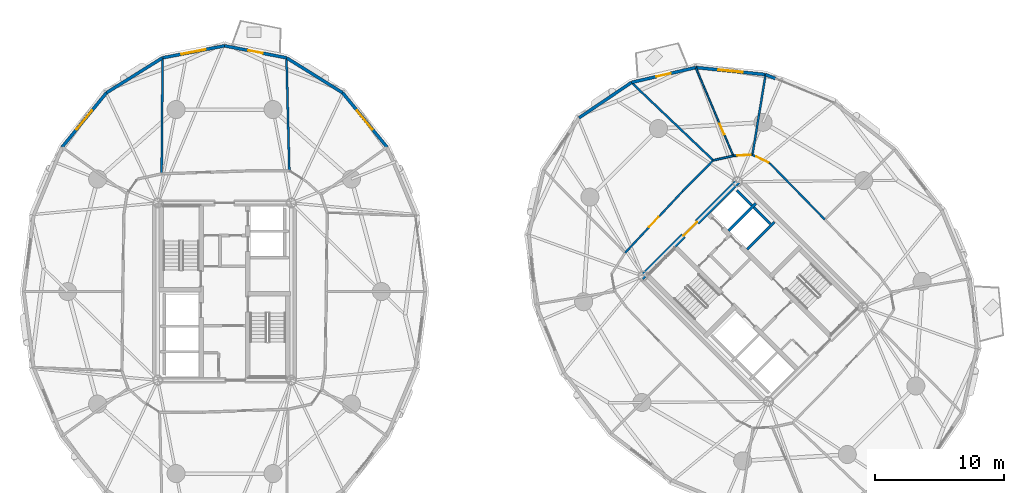
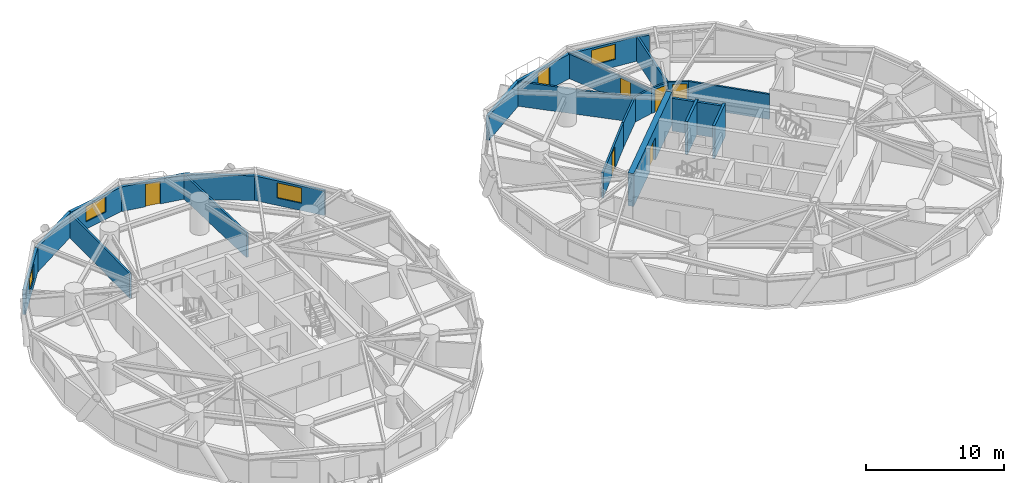
# One storey, part 13 of 17: 26 walls, 7 doors, 4 windows, 11 openings.
"""IFC4 building model written with IfcOpenShell, lengths in metres."""

from ifc_helpers import new_model, si_unit, direction, frame, frame_2d, origin, place, context, subcontext, project, spatial, rectangle, extrude, source, transform, mapped, material, layer, layer_set, type_object, element, fill, save


model = new_model("IFC4")

# Units and contexts
model_context = context("Model", 3, precision=1e-05, world=origin(), true_north=direction((0.0, 1.0)))
body_context = subcontext(model_context, "Body", "Model", "MODEL_VIEW")
ifc_project = project(units=[si_unit("LENGTHUNIT", "METRE"), si_unit("AREAUNIT", "SQUARE_METRE"), si_unit("VOLUMEUNIT", "CUBIC_METRE"), si_unit("PLANEANGLEUNIT", "RADIAN"), si_unit("MASSUNIT", "GRAM", prefix="KILO")], contexts=[model_context])

# Site, building, storey
site_placement = place(None, origin())
site = spatial("IfcSite", under=ifc_project, at=site_placement, CompositionType="ELEMENT")
building_placement = place(site_placement, origin())
building = spatial("IfcBuilding", under=site, at=building_placement, Name="Cununo Teusaquillo Station Towers", CompositionType="ELEMENT")
storey_placement = place(building_placement, frame((0.0, 0.0, 78.8798828125)))
storey = spatial("IfcBuildingStorey", under=building, at=storey_placement, Name="L24", CompositionType="ELEMENT", Elevation=78.8798828125)

# Walls
ifc_material_1 = material(Name="Concrete C50/60", Category="concrete")
ifc_layer_1 = layer(ifc_material_1, 0.199951171875)
ifc_layer_set_1 = layer_set([ifc_layer_1], Name="Concrete C50/60")
wall_type_1 = type_object("IfcWallType", Name="WL-CORE-200", PredefinedType="SHEAR", material=ifc_layer_set_1)
wall_1_placement = place(storey_placement, frame((57.0615234375, 27.781005859375, 0.0), z_axis=(0.0, 0.0, 1.0), x_axis=(0.707106781187, 0.707106781187, 0.0)))
element("IfcWall", 1, at=wall_1_placement, inside=storey, type_object=wall_type_1, Name="L24 Tower B Low-Rise Lift Hoistway South Shear Wall", PredefinedType="SHEAR", context=body_context, shape_type="SweptSolid", body=[
    extrude(rectangle(XDim=2.969970703125, YDim=0.199951171875, at=frame_2d((1.48486328125, 0.0))), origin(), (0.0, 0.0, 1.0), 2.91015625),
])
wall_2_placement = place(storey_placement, frame((55.615478515625, 29.22705078125, 0.0), z_axis=(0.0, 0.0, 1.0), x_axis=(0.707147878904, 0.70706568108, 0.0)))
element("IfcWall", 2, at=wall_2_placement, inside=storey, type_object=wall_type_1, Name="L24 Tower B Low-Rise Lift Hoistway Divider Shear Wall", PredefinedType="SHEAR", context=body_context, shape_type="SweptSolid", body=[
    extrude(rectangle(XDim=2.97021484375, YDim=0.199951171875, at=frame_2d((1.485107421875, 0.0))), origin(), (0.0, 0.0, 1.0), 2.91015625),
])
wall_3_placement = place(storey_placement, frame((58.86474609375, 29.75390625, 0.0), z_axis=(0.0, 0.0, 1.0), x_axis=(-0.707174411312, 0.707039144592, 0.0)))
element("IfcWall", 3, at=wall_3_placement, inside=storey, type_object=wall_type_1, Name="L24 Tower B Low-Rise Lift 1 Shaft Rear Shear Wall", PredefinedType="SHEAR", context=body_context, shape_type="SweptSolid", body=[
    extrude(rectangle(XDim=1.804931640625, YDim=0.199951171875, at=frame_2d((0.90234375, 0.0))), origin(), (0.0, 0.0, 1.0), 2.91015625),
])
wall_4_placement = place(storey_placement, frame((57.418701171875, 31.19970703125, 0.0), z_axis=(0.0, 0.0, 1.0), x_axis=(-0.707032117043, 0.707181437447, 0.0)))
element("IfcWall", 4, at=wall_4_placement, inside=storey, type_object=wall_type_1, Name="L24 Tower B Low-Rise Lift 2 Shaft Rear Shear Wall", PredefinedType="SHEAR", context=body_context, shape_type="SweptSolid", body=[
    extrude(rectangle(XDim=1.635009765625, YDim=0.199951171875, at=frame_2d((0.8173828125, 0.0))), origin(), (0.0, 0.0, 1.0), 2.91015625),
])

# Wall, opening, door
ifc_material_2 = material(Name="Concrete C60/75", Category="concrete")
ifc_layer_2 = layer(ifc_material_2, 0.449951171875)
ifc_layer_set_2 = layer_set([ifc_layer_2], Name="Concrete C60/75")
wall_type_2 = type_object("IfcWallType", Name="WL-CORE-450", PredefinedType="SHEAR", material=ifc_layer_set_2)
wall_5_placement = place(storey_placement, frame((48.855712890625, 25.578369140625, 0.0), z_axis=(0.0, 0.0, 1.0), x_axis=(0.707106781187, 0.707106781187, 0.0)))
wall_5 = element("IfcWall", 5, at=wall_5_placement, inside=storey, type_object=wall_type_2, Name="L24 Tower B Core Shear Wall N", PredefinedType="SHEAR", context=body_context, shape_type="SweptSolid", body=[
    extrude(rectangle(XDim=10.69970703125, YDim=0.449951171875, at=frame_2d((5.349853515625, 0.0))), origin(), (0.0, 0.0, 1.0), 2.91015625),
])
shared_shape_1 = source(origin(), body_context, "Body", "SweptSolid", [
    extrude(rectangle(XDim=1.5, YDim=2.02001953125, at=frame_2d((0.75, 1.010009765625))), frame((0.0, 0.23486328125, 0.0), z_axis=(0.0, -1.0, 0.0), x_axis=(1.0, 0.0, 0.0)), (0.0, 0.0, 1.0), 0.469970703125),
])
opening_1_placement = place(wall_5_placement, frame((4.60009765625, 0.0, 0.0)))
opening_1 = element("IfcOpeningElement", 6, at=opening_1_placement, cuts=wall_5, Name="Opening D-LB1", PredefinedType="OPENING", context=body_context, shape_type="MappedRepresentation", body=[
    mapped(shared_shape_1, transform((0.0, 0.0, 0.0), x_axis=(1.0, 0.0, 0.0), y_axis=(0.0, 1.0, 0.0), z_axis=(0.0, 0.0, 1.0), scale=1.0)),
])
ifc_material_3 = material(Name="Galvanised fire-rated hollow steel door assembly", Category="steel")
door_type_1 = type_object("IfcDoorType", Name="DR-LOBBY-1500", OperationType="DOUBLE_DOOR_SINGLE_SWING", PredefinedType="DOOR", material=ifc_material_3)
shared_shape_2 = source(origin(), body_context, "Body", "SweptSolid", [
    extrude(rectangle(XDim=1.5, YDim=2.02001953125, at=frame_2d((0.75, 1.010009765625))), frame((0.0, 0.02490234375, 0.0), z_axis=(0.0, -1.0, 0.0), x_axis=(1.0, 0.0, 0.0)), (0.0, 0.0, 1.0), 0.050048828125),
])
door_1_placement = place(opening_1_placement, origin())
door_1 = element("IfcDoor", 7, at=door_1_placement, inside=storey, type_object=door_type_1, Name="L24 Tower B North Core Lift Lobby Door", OperationType="DOUBLE_DOOR_SINGLE_SWING", OverallHeight=2.02001953125, OverallWidth=1.5, PredefinedType="DOOR", context=body_context, shape_type="MappedRepresentation", body=[
    mapped(shared_shape_2, transform((0.0, 0.0, 0.0), x_axis=(1.0, 0.0, 0.0), y_axis=(0.0, 1.0, 0.0), z_axis=(0.0, 0.0, 1.0), scale=1.0)),
])
fill(opening_1, door_1)

# Wall, opening, window
ifc_material_4 = material(Name="Precast concrete C40/50", Category="concrete")
ifc_layer_3 = layer(ifc_material_4, 0.239990234375)
ifc_layer_set_3 = layer_set([ifc_layer_3], Name="Precast concrete C40/50")
wall_type_3 = type_object("IfcWallType", Name="WL-EXT-240", PredefinedType="SOLIDWALL", material=ifc_layer_set_3)
wall_6_placement = place(storey_placement, frame((25.658203125, 39.927978515625, 0.0), z_axis=(0.0, 0.0, 1.0), x_axis=(0.632700781152, -0.77439635945, 0.0)))
wall_6 = element("IfcWall", 8, at=wall_6_placement, inside=storey, type_object=wall_type_3, Name="L24 Tower A Exterior Facade Wall C02", PredefinedType="SOLIDWALL", context=body_context, shape_type="SweptSolid", body=[
    extrude(rectangle(XDim=5.447998046875, YDim=0.239990234375, at=frame_2d((2.72412109375, 0.0))), origin(), (0.0, 0.0, 1.0), 2.17919921875),
])
shared_shape_3 = source(origin(), body_context, "Body", "SweptSolid", [
    extrude(rectangle(XDim=1.89990234375, YDim=1.35009765625, at=frame_2d((0.949951171875, 0.675048828125))), frame((0.0, 0.1298828125, 0.0), z_axis=(0.0, -1.0, 0.0), x_axis=(1.0, 0.0, 0.0)), (0.0, 0.0, 1.0), 0.260009765625),
])
opening_2_placement = place(wall_6_placement, frame((1.77392578125, 0.0, 0.64990234375)))
opening_2 = element("IfcOpeningElement", 9, at=opening_2_placement, cuts=wall_6, Name="Opening WN-02", PredefinedType="OPENING", context=body_context, shape_type="MappedRepresentation", body=[
    mapped(shared_shape_3, transform((0.0, 0.0, 0.0), x_axis=(1.0, 0.0, 0.0), y_axis=(0.0, 1.0, 0.0), z_axis=(0.0, 0.0, 1.0), scale=1.0)),
])
ifc_material_5 = material(Name="Operable acoustic tinted low-E double glazing", Category="glass")
window_type = type_object("IfcWindowType", Name="WIN-OPER-1900", PartitioningType="DOUBLE_PANEL_VERTICAL", PredefinedType="WINDOW", material=ifc_material_5)
shared_shape_4 = source(origin(), body_context, "Body", "SweptSolid", [
    extrude(rectangle(XDim=1.89990234375, YDim=1.35009765625, at=frame_2d((0.949951171875, 0.675048828125))), frame((0.0, 0.030029296875, 0.0), z_axis=(0.0, -1.0, 0.0), x_axis=(1.0, 0.0, 0.0)), (0.0, 0.0, 1.0), 0.06005859375),
])
window_1_placement = place(opening_2_placement, origin())
window_1 = element("IfcWindow", 10, at=window_1_placement, inside=storey, type_object=window_type, Name="L24 Tower A Facade Window C02", OverallHeight=1.35009765625, OverallWidth=1.89990234375, PartitioningType="DOUBLE_PANEL_VERTICAL", PredefinedType="WINDOW", context=body_context, shape_type="MappedRepresentation", body=[
    mapped(shared_shape_4, transform((0.0, 0.0, 0.0), x_axis=(1.0, 0.0, 0.0), y_axis=(0.0, 1.0, 0.0), z_axis=(0.0, 0.0, 1.0), scale=1.0)),
])
fill(opening_2, window_1)

# Wall
wall_7_placement = place(storey_placement, frame((21.314697265625, 42.63671875, 0.0), z_axis=(0.0, 0.0, 1.0), x_axis=(0.848520380187, -0.529162701263, 0.0)))
element("IfcWall", 11, at=wall_7_placement, inside=storey, type_object=wall_type_3, Name="L24 Tower A Exterior Facade Wall C03", PredefinedType="SOLIDWALL", context=body_context, shape_type="SweptSolid", body=[
    extrude(rectangle(XDim=5.118896484375, YDim=0.239990234375, at=frame_2d((2.5595703125, 0.0))), origin(), (0.0, 0.0, 1.0), 2.17919921875),
])

# Wall, opening, door
wall_8_placement = place(storey_placement, frame((16.5, 43.570068359375, 0.0), z_axis=(0.0, 0.0, 1.0), x_axis=(0.981723785992, -0.190311344954, 0.0)))
wall_8 = element("IfcWall", 12, at=wall_8_placement, inside=storey, type_object=wall_type_3, Name="L24 Tower A Exterior Facade Wall C04", PredefinedType="SOLIDWALL", context=body_context, shape_type="SweptSolid", body=[
    extrude(rectangle(XDim=4.904296875, YDim=0.239990234375, at=frame_2d((2.4521484375, 0.0))), origin(), (0.0, 0.0, 1.0), 2.17919921875),
])
shared_shape_5 = source(origin(), body_context, "Body", "SweptSolid", [
    extrude(rectangle(XDim=1.14990234375, YDim=2.0048828125, at=frame_2d((0.574951171875, 1.00244140625))), frame((0.0, 0.1298828125, 0.0), z_axis=(0.0, -1.0, 0.0), x_axis=(1.0, 0.0, 0.0)), (0.0, 0.0, 1.0), 0.260009765625),
])
opening_3_placement = place(wall_8_placement, frame((1.876953125, 0.0, 0.0)))
opening_3 = element("IfcOpeningElement", 13, at=opening_3_placement, cuts=wall_8, Name="Opening ED-03", PredefinedType="OPENING", context=body_context, shape_type="MappedRepresentation", body=[
    mapped(shared_shape_5, transform((0.0, 0.0, 0.0), x_axis=(1.0, 0.0, 0.0), y_axis=(0.0, 1.0, 0.0), z_axis=(0.0, 0.0, 1.0), scale=1.0)),
])
ifc_material_6 = material(Name="Anodised dark bronze aluminium EN AW-6063-T6", Category="aluminium")
door_type_2 = type_object("IfcDoorType", Name="DR-EXT-BAL", OperationType="NOTDEFINED", PredefinedType="DOOR", material=ifc_material_6)
shared_shape_6 = source(origin(), body_context, "Body", "SweptSolid", [
    extrude(rectangle(XDim=1.14990234375, YDim=2.0048828125, at=frame_2d((0.574951171875, 1.00244140625))), frame((0.0, 0.02490234375, 0.0), z_axis=(0.0, -1.0, 0.0), x_axis=(1.0, 0.0, 0.0)), (0.0, 0.0, 1.0), 0.050048828125),
])
door_2_placement = place(opening_3_placement, origin())
door_2 = element("IfcDoor", 14, at=door_2_placement, inside=storey, type_object=door_type_2, Name="L24 Tower A Tree Balcony Door C04", OperationType="SINGLE_SWING_LEFT", OverallHeight=2.0048828125, OverallWidth=1.14990234375, PredefinedType="DOOR", context=body_context, shape_type="MappedRepresentation", body=[
    mapped(shared_shape_6, transform((0.0, 0.0, 0.0), x_axis=(1.0, 0.0, 0.0), y_axis=(0.0, 1.0, 0.0), z_axis=(0.0, 0.0, 1.0), scale=1.0)),
])
fill(opening_3, door_2)

# Wall, opening, window
wall_9_placement = place(storey_placement, frame((11.685302734375, 42.63671875, 0.0), z_axis=(0.0, 0.0, 1.0), x_axis=(0.981723785992, 0.190311344954, 0.0)))
wall_9 = element("IfcWall", 15, at=wall_9_placement, inside=storey, type_object=wall_type_3, Name="L24 Tower A Exterior Facade Wall C05", PredefinedType="SOLIDWALL", context=body_context, shape_type="SweptSolid", body=[
    extrude(rectangle(XDim=4.904296875, YDim=0.239990234375, at=frame_2d((2.4521484375, 0.0))), origin(), (0.0, 0.0, 1.0), 2.17919921875),
])
opening_4_placement = place(wall_9_placement, frame((1.501953125, 0.0, 0.64990234375)))
opening_4 = element("IfcOpeningElement", 16, at=opening_4_placement, cuts=wall_9, Name="Opening WN-02", PredefinedType="OPENING", context=body_context, shape_type="MappedRepresentation", body=[
    mapped(shared_shape_3, transform((0.0, 0.0, 0.0), x_axis=(1.0, 0.0, 0.0), y_axis=(0.0, 1.0, 0.0), z_axis=(0.0, 0.0, 1.0), scale=1.0)),
])
window_2_placement = place(opening_4_placement, origin())
window_2 = element("IfcWindow", 17, at=window_2_placement, inside=storey, type_object=window_type, Name="L24 Tower A Facade Window C05", OverallHeight=1.35009765625, OverallWidth=1.89990234375, PartitioningType="DOUBLE_PANEL_VERTICAL", PredefinedType="WINDOW", context=body_context, shape_type="MappedRepresentation", body=[
    mapped(shared_shape_4, transform((0.0, 0.0, 0.0), x_axis=(1.0, 0.0, 0.0), y_axis=(0.0, 1.0, 0.0), z_axis=(0.0, 0.0, 1.0), scale=1.0)),
])
fill(opening_4, window_2)

# Wall
wall_10_placement = place(storey_placement, frame((7.341796875, 39.927978515625, 0.0), z_axis=(0.0, 0.0, 1.0), x_axis=(0.848520380187, 0.529162701263, 0.0)))
element("IfcWall", 18, at=wall_10_placement, inside=storey, type_object=wall_type_3, Name="L24 Tower A Exterior Facade Wall C06", PredefinedType="SOLIDWALL", context=body_context, shape_type="SweptSolid", body=[
    extrude(rectangle(XDim=5.118896484375, YDim=0.239990234375, at=frame_2d((2.5595703125, 0.0))), origin(), (0.0, 0.0, 1.0), 2.17919921875),
])

# Wall, opening, window
wall_11_placement = place(storey_placement, frame((3.894775390625, 35.708984375, 0.0), z_axis=(0.0, 0.0, 1.0), x_axis=(0.632700781152, 0.77439635945, 0.0)))
wall_11 = element("IfcWall", 19, at=wall_11_placement, inside=storey, type_object=wall_type_3, Name="L24 Tower A Exterior Facade Wall C07", PredefinedType="SOLIDWALL", context=body_context, shape_type="SweptSolid", body=[
    extrude(rectangle(XDim=5.447998046875, YDim=0.239990234375, at=frame_2d((2.72412109375, 0.0))), origin(), (0.0, 0.0, 1.0), 2.17919921875),
])
opening_5_placement = place(wall_11_placement, frame((1.77392578125, 0.0, 0.64990234375)))
opening_5 = element("IfcOpeningElement", 20, at=opening_5_placement, cuts=wall_11, Name="Opening WN-02", PredefinedType="OPENING", context=body_context, shape_type="MappedRepresentation", body=[
    mapped(shared_shape_3, transform((0.0, 0.0, 0.0), x_axis=(1.0, 0.0, 0.0), y_axis=(0.0, 1.0, 0.0), z_axis=(0.0, 0.0, 1.0), scale=1.0)),
])
window_3_placement = place(opening_5_placement, origin())
window_3 = element("IfcWindow", 21, at=window_3_placement, inside=storey, type_object=window_type, Name="L24 Tower A Facade Window C07", OverallHeight=1.35009765625, OverallWidth=1.89990234375, PartitioningType="DOUBLE_PANEL_VERTICAL", PredefinedType="WINDOW", context=body_context, shape_type="MappedRepresentation", body=[
    mapped(shared_shape_4, transform((0.0, 0.0, 0.0), x_axis=(1.0, 0.0, 0.0), y_axis=(0.0, 1.0, 0.0), z_axis=(0.0, 0.0, 1.0), scale=1.0)),
])
fill(opening_5, window_3)

# Wall
wall_12_placement = place(storey_placement, frame((58.4873046875, 41.33935546875, 0.0), z_axis=(0.0, 0.0, 1.0), x_axis=(0.924556017656, -0.381046152345, 0.0)))
element("IfcWall", 22, at=wall_12_placement, inside=storey, type_object=wall_type_3, Name="L24 Tower B Column Pier Cladding Wall C01-PA", PredefinedType="SOLIDWALL", context=body_context, shape_type="SweptSolid", body=[
    extrude(rectangle(XDim=0.8701171875, YDim=0.239990234375, at=frame_2d((0.43505859375, 0.0))), origin(), (0.0, 0.0, 1.0), 2.17919921875),
])

# Wall, opening, window
wall_13_placement = place(storey_placement, frame((53.066650390625, 41.885009765625, 0.0), z_axis=(0.0, 0.0, 1.0), x_axis=(0.994971754311, -0.10015591906, 0.0)))
wall_13 = element("IfcWall", 23, at=wall_13_placement, inside=storey, type_object=wall_type_3, Name="L24 Tower B Exterior Facade Wall C02", PredefinedType="SOLIDWALL", context=body_context, shape_type="SweptSolid", body=[
    extrude(rectangle(XDim=5.447998046875, YDim=0.239990234375, at=frame_2d((2.72412109375, 0.0))), origin(), (0.0, 0.0, 1.0), 2.17919921875),
])
opening_6_placement = place(wall_13_placement, frame((1.77392578125, 0.0, 0.64990234375)))
opening_6 = element("IfcOpeningElement", 24, at=opening_6_placement, cuts=wall_13, Name="Opening WN-02", PredefinedType="OPENING", context=body_context, shape_type="MappedRepresentation", body=[
    mapped(shared_shape_3, transform((0.0, 0.0, 0.0), x_axis=(1.0, 0.0, 0.0), y_axis=(0.0, 1.0, 0.0), z_axis=(0.0, 0.0, 1.0), scale=1.0)),
])
window_4_placement = place(opening_6_placement, origin())
window_4 = element("IfcWindow", 25, at=window_4_placement, inside=storey, type_object=window_type, Name="L24 Tower B Facade Window C02", OverallHeight=1.35009765625, OverallWidth=1.89990234375, PartitioningType="DOUBLE_PANEL_VERTICAL", PredefinedType="WINDOW", context=body_context, shape_type="MappedRepresentation", body=[
    mapped(shared_shape_4, transform((0.0, 0.0, 0.0), x_axis=(1.0, 0.0, 0.0), y_axis=(0.0, 1.0, 0.0), z_axis=(0.0, 0.0, 1.0), scale=1.0)),
])
fill(opening_6, window_4)

# Wall, opening, door
wall_14_placement = place(storey_placement, frame((48.080078125, 40.72900390625, 0.0), z_axis=(0.0, 0.0, 1.0), x_axis=(0.974165631126, 0.225834725257, 0.0)))
wall_14 = element("IfcWall", 26, at=wall_14_placement, inside=storey, type_object=wall_type_3, Name="L24 Tower B Exterior Facade Wall C03", PredefinedType="SOLIDWALL", context=body_context, shape_type="SweptSolid", body=[
    extrude(rectangle(XDim=5.118896484375, YDim=0.239990234375, at=frame_2d((2.5595703125, 0.0))), origin(), (0.0, 0.0, 1.0), 2.17919921875),
])
opening_7_placement = place(wall_14_placement, frame((1.98388671875, 0.0, 0.0)))
opening_7 = element("IfcOpeningElement", 27, at=opening_7_placement, cuts=wall_14, Name="Opening ED-03", PredefinedType="OPENING", context=body_context, shape_type="MappedRepresentation", body=[
    mapped(shared_shape_5, transform((0.0, 0.0, 0.0), x_axis=(1.0, 0.0, 0.0), y_axis=(0.0, 1.0, 0.0), z_axis=(0.0, 0.0, 1.0), scale=1.0)),
])
door_3_placement = place(opening_7_placement, origin())
door_3 = element("IfcDoor", 28, at=door_3_placement, inside=storey, type_object=door_type_2, Name="L24 Tower B Tree Balcony Door C03", OperationType="SINGLE_SWING_LEFT", OverallHeight=2.0048828125, OverallWidth=1.14990234375, PredefinedType="DOOR", context=body_context, shape_type="MappedRepresentation", body=[
    mapped(shared_shape_6, transform((0.0, 0.0, 0.0), x_axis=(1.0, 0.0, 0.0), y_axis=(0.0, 1.0, 0.0), z_axis=(0.0, 0.0, 1.0), scale=1.0)),
])
fill(opening_7, door_3)

# Wall
wall_15_placement = place(storey_placement, frame((44.015380859375, 37.984619140625, 0.0), z_axis=(0.0, 0.0, 1.0), x_axis=(0.828781148131, 0.559572880421, 0.0)))
element("IfcWall", 29, at=wall_15_placement, inside=storey, type_object=wall_type_3, Name="L24 Tower B Exterior Facade Wall C04", PredefinedType="SOLIDWALL", context=body_context, shape_type="SweptSolid", body=[
    extrude(rectangle(XDim=4.904541015625, YDim=0.239990234375, at=frame_2d((2.4521484375, 0.0))), origin(), (0.0, 0.0, 1.0), 2.17919921875),
])

# Wall, opening, door
ifc_material_7 = material(Name="Fire-rated gypsum plasterboard partition assembly", Category="gypsum")
ifc_layer_4 = layer(ifc_material_7, 0.125)
ifc_layer_set_4 = layer_set([ifc_layer_4], Name="Fire-rated gypsum plasterboard partition assembly")
wall_type_4 = type_object("IfcWallType", Name="WL-PART-125", PredefinedType="PARTITIONING", material=ifc_layer_set_4)
wall_16_placement = place(storey_placement, frame((55.98388671875, 35.035400390625, 0.0), z_axis=(0.0, 0.0, 1.0), x_axis=(-0.392438685048, 0.919778168081, 0.0)))
wall_16 = element("IfcWall", 30, at=wall_16_placement, inside=storey, type_object=wall_type_4, Name="L24 Tower B Legal Arbitration Hearing Room Suite Subdividing Wall", PredefinedType="PARTITIONING", context=body_context, shape_type="SweptSolid", body=[
    extrude(rectangle(XDim=7.425537109375, YDim=0.125, at=frame_2d((3.712890625, 0.0))), origin(), (0.0, 0.0, 1.0), 2.17919921875),
])
shared_shape_7 = source(origin(), body_context, "Body", "SweptSolid", [
    extrude(rectangle(XDim=0.89990234375, YDim=2.0048828125, at=frame_2d((0.449951171875, 1.00244140625))), frame((0.0, 0.072509765625, 0.0), z_axis=(0.0, -1.0, 0.0), x_axis=(1.0, 0.0, 0.0)), (0.0, 0.0, 1.0), 0.14501953125),
])
opening_8_placement = place(wall_16_placement, frame((1.800048828125, 0.0, 0.0)))
opening_8 = element("IfcOpeningElement", 31, at=opening_8_placement, cuts=wall_16, Name="Opening D-IN1", PredefinedType="OPENING", context=body_context, shape_type="MappedRepresentation", body=[
    mapped(shared_shape_7, transform((0.0, 0.0, 0.0), x_axis=(1.0, 0.0, 0.0), y_axis=(0.0, 1.0, 0.0), z_axis=(0.0, 0.0, 1.0), scale=1.0)),
])
ifc_material_8 = material(Name="Acoustic solid-core hardwood leaf assembly", Category="wood")
door_type_3 = type_object("IfcDoorType", Name="DR-INT-900", OperationType="NOTDEFINED", PredefinedType="DOOR", material=ifc_material_8)
shared_shape_8 = source(origin(), body_context, "Body", "SweptSolid", [
    extrude(rectangle(XDim=0.89990234375, YDim=2.0048828125, at=frame_2d((0.449951171875, 1.00244140625))), frame((0.0, 0.02490234375, 0.0), z_axis=(0.0, -1.0, 0.0), x_axis=(1.0, 0.0, 0.0)), (0.0, 0.0, 1.0), 0.050048828125),
])
door_4_placement = place(opening_8_placement, origin())
door_4 = element("IfcDoor", 32, at=door_4_placement, inside=storey, type_object=door_type_3, Name="L24 Tower B Legal Arbitration Hearing Room Suite Connecting Door", OperationType="SINGLE_SWING_RIGHT", OverallHeight=2.0048828125, OverallWidth=0.89990234375, PredefinedType="DOOR", context=body_context, shape_type="MappedRepresentation", body=[
    mapped(shared_shape_8, transform((0.0, 0.0, 0.0), x_axis=(1.0, 0.0, 0.0), y_axis=(0.0, 1.0, 0.0), z_axis=(0.0, 0.0, 1.0), scale=1.0)),
])
fill(opening_8, door_4)

# Wall
ifc_material_9 = material(Name="Fire-rated gypsum plasterboard partition assembly", Category="gypsum")
ifc_layer_5 = layer(ifc_material_9, 0.14990234375)
ifc_layer_set_5 = layer_set([ifc_layer_5], Name="Fire-rated gypsum plasterboard partition assembly")
wall_type_5 = type_object("IfcWallType", Name="WL-PART-150", PredefinedType="PARTITIONING", material=ifc_layer_set_5)
wall_17_placement = place(storey_placement, frame((63.086181640625, 30.086181640625, 0.0), z_axis=(0.0, 0.0, 1.0), x_axis=(-0.699075897379, 0.715047473741, 0.0)))
element("IfcWall", 33, at=wall_17_placement, inside=storey, type_object=wall_type_5, Name="L24 Tower B Corridor Ring Wall C00", PredefinedType="PARTITIONING", context=body_context, shape_type="SweptSolid", body=[
    extrude(rectangle(XDim=6.1142578125, YDim=0.14990234375, at=frame_2d((3.05712890625, 0.0))), origin(), (0.0, 0.0, 1.0), 2.22509765625),
])

# Wall, opening, door
wall_18_placement = place(storey_placement, frame((58.811767578125, 34.458251953125, 0.0), z_axis=(0.0, 0.0, 1.0), x_axis=(-0.899559490277, 0.436798264021, 0.0)))
wall_18 = element("IfcWall", 34, at=wall_18_placement, inside=storey, type_object=wall_type_5, Name="L24 Tower B Corridor Ring Wall C01", PredefinedType="PARTITIONING", context=body_context, shape_type="SweptSolid", body=[
    extrude(rectangle(XDim=1.4951171875, YDim=0.14990234375, at=frame_2d((0.74755859375, 0.0))), origin(), (0.0, 0.0, 1.0), 2.22509765625),
])
shared_shape_9 = source(origin(), body_context, "Body", "SweptSolid", [
    extrude(rectangle(XDim=1.050048828125, YDim=2.014892578125, at=frame_2d((0.52490234375, 1.00732421875))), frame((0.0, 0.0849609375, 0.0), z_axis=(0.0, -1.0, 0.0), x_axis=(1.0, 0.0, 0.0)), (0.0, 0.0, 1.0), 0.169921875),
])
opening_9_placement = place(wall_18_placement, frame((0.1201171875, 0.0, 0.0)))
opening_9 = element("IfcOpeningElement", 35, at=opening_9_placement, cuts=wall_18, Name="Opening D-SU1", PredefinedType="OPENING", context=body_context, shape_type="MappedRepresentation", body=[
    mapped(shared_shape_9, transform((0.0, 0.0, 0.0), x_axis=(1.0, 0.0, 0.0), y_axis=(0.0, 1.0, 0.0), z_axis=(0.0, 0.0, 1.0), scale=1.0)),
])
ifc_material_10 = material(Name="Acoustic solid-core hardwood leaf assembly", Category="wood")
door_type_4 = type_object("IfcDoorType", Name="DR-SUITE-1050", OperationType="NOTDEFINED", PredefinedType="DOOR", material=ifc_material_10)
shared_shape_10 = source(origin(), body_context, "Body", "SweptSolid", [
    extrude(rectangle(XDim=1.050048828125, YDim=2.014892578125, at=frame_2d((0.52490234375, 1.00732421875))), frame((0.0, 0.02490234375, 0.0), z_axis=(0.0, -1.0, 0.0), x_axis=(1.0, 0.0, 0.0)), (0.0, 0.0, 1.0), 0.050048828125),
])
door_5_placement = place(opening_9_placement, origin())
door_5 = element("IfcDoor", 36, at=door_5_placement, inside=storey, type_object=door_type_4, Name="L24 Tower B Senior Partners Law Chambers Entrance Door", OperationType="SINGLE_SWING_RIGHT", OverallHeight=2.014892578125, OverallWidth=1.050048828125, PredefinedType="DOOR", context=body_context, shape_type="MappedRepresentation", body=[
    mapped(shared_shape_10, transform((0.0, 0.0, 0.0), x_axis=(1.0, 0.0, 0.0), y_axis=(0.0, 1.0, 0.0), z_axis=(0.0, 0.0, 1.0), scale=1.0)),
])
fill(opening_9, door_5)

wall_19_placement = place(storey_placement, frame((57.466796875, 35.111328125, 0.0), z_axis=(0.0, 0.0, 1.0), x_axis=(-0.998691757323, -0.051134859488, 0.0)))
wall_19 = element("IfcWall", 37, at=wall_19_placement, inside=storey, type_object=wall_type_5, Name="L24 Tower B Corridor Ring Wall C02", PredefinedType="PARTITIONING", context=body_context, shape_type="SweptSolid", body=[
    extrude(rectangle(XDim=1.48486328125, YDim=0.14990234375, at=frame_2d((0.742431640625, 0.0))), origin(), (0.0, 0.0, 1.0), 2.22509765625),
])
opening_10_placement = place(wall_19_placement, frame((0.1201171875, 0.0, 0.0)))
opening_10 = element("IfcOpeningElement", 38, at=opening_10_placement, cuts=wall_19, Name="Opening D-SU1", PredefinedType="OPENING", context=body_context, shape_type="MappedRepresentation", body=[
    mapped(shared_shape_9, transform((0.0, 0.0, 0.0), x_axis=(1.0, 0.0, 0.0), y_axis=(0.0, 1.0, 0.0), z_axis=(0.0, 0.0, 1.0), scale=1.0)),
])
door_6_placement = place(opening_10_placement, origin())
door_6 = element("IfcDoor", 39, at=door_6_placement, inside=storey, type_object=door_type_4, Name="L24 Tower B Legal Arbitration Hearing Room Entrance Door", OperationType="SINGLE_SWING_LEFT", OverallHeight=2.014892578125, OverallWidth=1.050048828125, PredefinedType="DOOR", context=body_context, shape_type="MappedRepresentation", body=[
    mapped(shared_shape_10, transform((0.0, 0.0, 0.0), x_axis=(1.0, 0.0, 0.0), y_axis=(0.0, 1.0, 0.0), z_axis=(0.0, 0.0, 1.0), scale=1.0)),
])
fill(opening_10, door_6)

# Walls
wall_20_placement = place(storey_placement, frame((55.98388671875, 35.035400390625, 0.0), z_axis=(0.0, 0.0, 1.0), x_axis=(-0.975290305708, -0.22092718165, 0.0)))
element("IfcWall", 40, at=wall_20_placement, inside=storey, type_object=wall_type_5, Name="L24 Tower B Corridor Ring Wall C03", PredefinedType="PARTITIONING", context=body_context, shape_type="SweptSolid", body=[
    extrude(rectangle(XDim=1.596923828125, YDim=0.14990234375, at=frame_2d((0.79833984375, 0.0))), origin(), (0.0, 0.0, 1.0), 2.22509765625),
])
wall_21_placement = place(storey_placement, frame((54.426513671875, 34.6826171875, 0.0), z_axis=(0.0, 0.0, 1.0), x_axis=(-0.704178989986, -0.710022499687, 0.0)))
element("IfcWall", 41, at=wall_21_placement, inside=storey, type_object=wall_type_5, Name="L24 Tower B Corridor Ring Wall C04", PredefinedType="PARTITIONING", context=body_context, shape_type="SweptSolid", body=[
    extrude(rectangle(XDim=3.38427734375, YDim=0.14990234375, at=frame_2d((1.692138671875, 0.0))), origin(), (0.0, 0.0, 1.0), 2.22509765625),
])

# Wall, opening, door
wall_22_placement = place(storey_placement, frame((52.04345703125, 32.27978515625, 0.0), z_axis=(0.0, 0.0, 1.0), x_axis=(-0.682606081633, -0.730786519661, 0.0)))
wall_22 = element("IfcWall", 42, at=wall_22_placement, inside=storey, type_object=wall_type_5, Name="L24 Tower B Corridor Ring Wall C05", PredefinedType="PARTITIONING", context=body_context, shape_type="SweptSolid", body=[
    extrude(rectangle(XDim=6.526611328125, YDim=0.14990234375, at=frame_2d((3.26318359375, 0.0))), origin(), (0.0, 0.0, 1.0), 2.22509765625),
])
opening_11_placement = place(wall_22_placement, frame((2.73828125, 0.0, 0.0)))
opening_11 = element("IfcOpeningElement", 43, at=opening_11_placement, cuts=wall_22, Name="Opening D-SU1", PredefinedType="OPENING", context=body_context, shape_type="MappedRepresentation", body=[
    mapped(shared_shape_9, transform((0.0, 0.0, 0.0), x_axis=(1.0, 0.0, 0.0), y_axis=(0.0, 1.0, 0.0), z_axis=(0.0, 0.0, 1.0), scale=1.0)),
])
door_7_placement = place(opening_11_placement, origin())
door_7 = element("IfcDoor", 44, at=door_7_placement, inside=storey, type_object=door_type_4, Name="L24 Tower B Associate Open-Plan Workplace Entrance Door", OperationType="SINGLE_SWING_LEFT", OverallHeight=2.014892578125, OverallWidth=1.050048828125, PredefinedType="DOOR", context=body_context, shape_type="MappedRepresentation", body=[
    mapped(shared_shape_10, transform((0.0, 0.0, 0.0), x_axis=(1.0, 0.0, 0.0), y_axis=(0.0, 1.0, 0.0), z_axis=(0.0, 0.0, 1.0), scale=1.0)),
])
fill(opening_11, door_7)

# Walls
ifc_material_11 = material(Name="Fire-rated gypsum plasterboard partition assembly", Category="gypsum")
ifc_layer_6 = layer(ifc_material_11, 0.159912109375)
ifc_layer_set_6 = layer_set([ifc_layer_6], Name="Fire-rated gypsum plasterboard partition assembly")
wall_type_6 = type_object("IfcWallType", Name="WL-PART-160", PredefinedType="PARTITIONING", material=ifc_layer_set_6)
wall_23_placement = place(storey_placement, frame((21.52685546875, 33.873291015625, 0.0), z_axis=(0.0, 0.0, 1.0), x_axis=(-0.024952442794, 0.999688639327, 0.0)))
element("IfcWall", 45, at=wall_23_placement, inside=storey, type_object=wall_type_6, Name="L24 Tower A Radial Suite Partition R03", PredefinedType="PARTITIONING", context=body_context, shape_type="SweptSolid", body=[
    extrude(rectangle(XDim=8.7470703125, YDim=0.159912109375, at=frame_2d((4.37353515625, 0.0))), origin(), (0.0, 0.0, 1.0), 2.17919921875),
])
wall_24_placement = place(storey_placement, frame((11.619873046875, 33.63720703125, 0.0), z_axis=(0.0, 0.0, 1.0), x_axis=(0.007965167065, 0.999968277554, 0.0)))
element("IfcWall", 46, at=wall_24_placement, inside=storey, type_object=wall_type_6, Name="L24 Tower A Radial Suite Partition R04", PredefinedType="PARTITIONING", context=body_context, shape_type="SweptSolid", body=[
    extrude(rectangle(XDim=8.980712890625, YDim=0.159912109375, at=frame_2d((4.490234375, 0.0))), origin(), (0.0, 0.0, 1.0), 2.17919921875),
])
wall_25_placement = place(storey_placement, frame((57.466796875, 35.111328125, 0.0), z_axis=(0.0, 0.0, 1.0), x_axis=(0.161711214096, 0.98683812413, 0.0)))
element("IfcWall", 47, at=wall_25_placement, inside=storey, type_object=wall_type_6, Name="L24 Tower B Radial Suite Partition R02", PredefinedType="PARTITIONING", context=body_context, shape_type="SweptSolid", body=[
    extrude(rectangle(XDim=6.291015625, YDim=0.159912109375, at=frame_2d((3.1455078125, 0.0))), origin(), (0.0, 0.0, 1.0), 2.17919921875),
])
wall_26_placement = place(storey_placement, frame((54.426513671875, 34.6826171875, 0.0), z_axis=(0.0, 0.0, 1.0), x_axis=(-0.72454072322, 0.689231993161, 0.0)))
element("IfcWall", 48, at=wall_26_placement, inside=storey, type_object=wall_type_6, Name="L24 Tower B Radial Suite Partition R03", PredefinedType="PARTITIONING", context=body_context, shape_type="SweptSolid", body=[
    extrude(rectangle(XDim=8.746826171875, YDim=0.159912109375, at=frame_2d((4.37353515625, 0.0))), origin(), (0.0, 0.0, 1.0), 2.17919921875),
])

save(model, "model.ifc")
